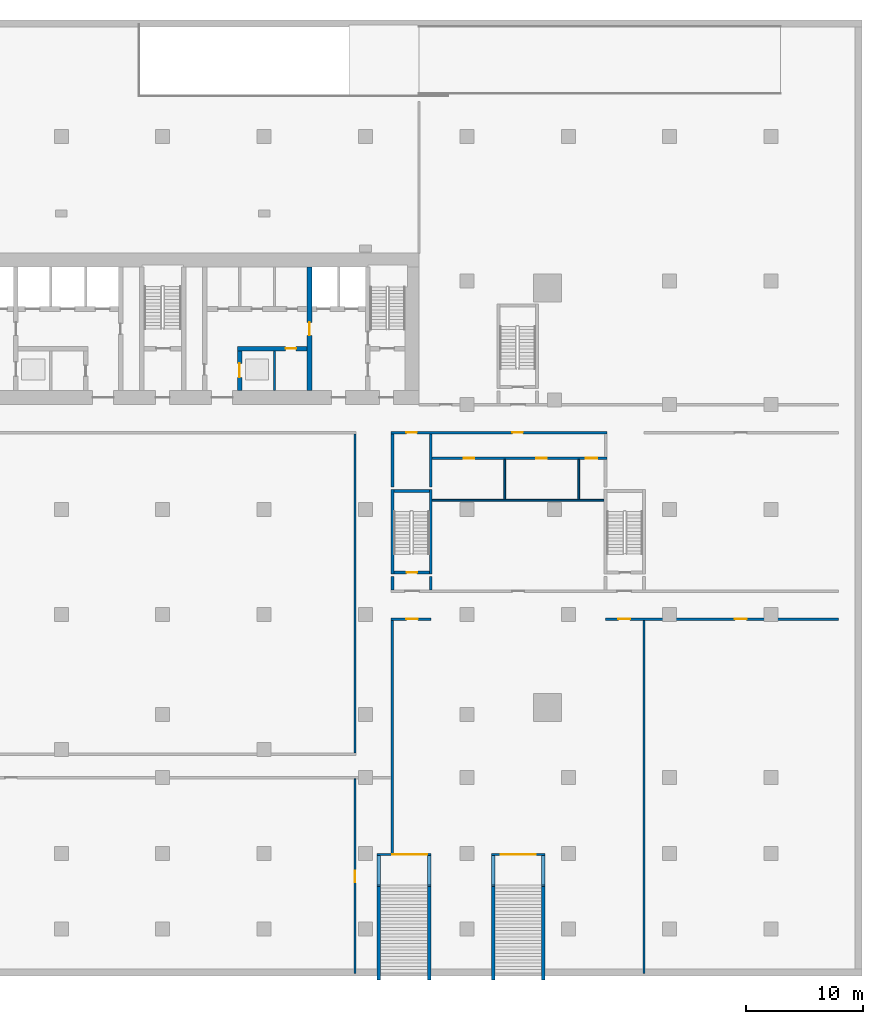
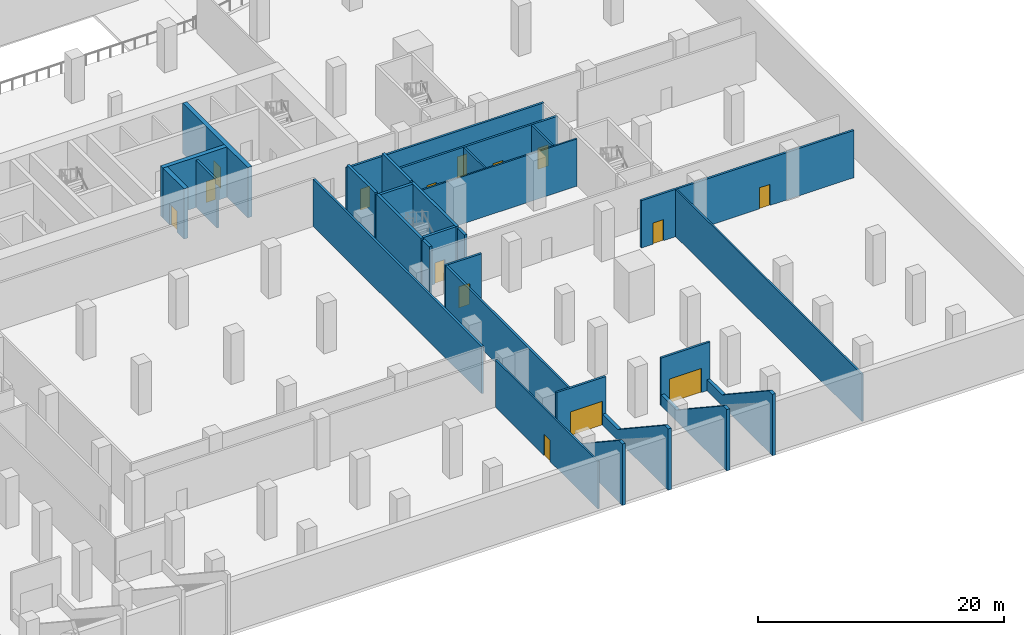
# One storey, part 8 of 16: 29 walls, 15 doors, 15 openings.
"""IFC4 building model written with IfcOpenShell, lengths in metres."""

from ifc_helpers import new_model, si_unit, direction, frame, frame_2d, origin, place, context, subcontext, project, spatial, polyline, rectangle, outline, extrude, material, layer, layer_set, layer_usage, type_object, element, fill, save


model = new_model("IFC4")

# Units and contexts
model_context = context("Model", 3, precision=1e-05, world=origin(), true_north=direction((0.0, 1.0)))
body_context = subcontext(model_context, "Body", "Model", "MODEL_VIEW")
ifc_project = project(units=[si_unit("LENGTHUNIT", "METRE"), si_unit("AREAUNIT", "SQUARE_METRE"), si_unit("VOLUMEUNIT", "CUBIC_METRE"), si_unit("PLANEANGLEUNIT", "RADIAN"), si_unit("MASSUNIT", "GRAM", prefix="KILO")], contexts=[model_context])

# Site, building, storey
site_placement = place(None, origin())
site = spatial("IfcSite", under=ifc_project, at=site_placement, CompositionType="ELEMENT")
building_placement = place(site_placement, origin())
building = spatial("IfcBuilding", under=site, at=building_placement, Name="Bicima Exchange Tower", CompositionType="ELEMENT")
storey_placement = place(building_placement, frame((0.0, 0.0, -5.0)))
storey = spatial("IfcBuildingStorey", under=building, at=storey_placement, Name="B1", CompositionType="ELEMENT", Elevation=-5.0)

# Wall
ifc_material_1 = material(Name="Gypsum board partition")
ifc_layer_1 = layer(ifc_material_1, 0.199951171875)
ifc_layer_set_1 = layer_set([ifc_layer_1], Name="Gypsum board partition")
wall_type_1 = type_object("IfcWallType", Name="Fire-rated gypsum partition 200 EI120", PredefinedType="PARTITIONING", material=ifc_layer_set_1)
wall_1_placement = place(storey_placement, frame((9.60009765625, -11.800048828125, 0.0), z_axis=(0.0, 0.0, 1.0), x_axis=(0.0, 1.0, 0.0)))
element("IfcWall", 1, at=wall_1_placement, inside=storey, type_object=wall_type_1, Name="partition wall 21", PredefinedType="PARTITIONING", context=body_context, shape_type="SweptSolid", body=[
    extrude(rectangle(XDim=3.400146484375, YDim=0.199951171875, at=frame_2d((1.7001953125, 0.0))), origin(), (0.0, 0.0, 1.0), 4.699951171875),
])

# Wall, opening, door
ifc_layer_2 = layer(ifc_material_1, 0.199951171875)
ifc_layer_set_2 = layer_set([ifc_layer_2], Name="Gypsum board partition")
wall_type_2 = type_object("IfcWallType", Name="Fire-rated gypsum partition 200 EI60", PredefinedType="PARTITIONING", material=ifc_layer_set_2)
wall_2_placement = place(storey_placement, frame((19.60009765625, -31.39990234375, 0.0), z_axis=(0.0, 0.0, 1.0), x_axis=(1.0, 0.0, 0.0)))
wall_2 = element("IfcWall", 2, at=wall_2_placement, inside=storey, type_object=wall_type_2, Name="partition wall 4", PredefinedType="PARTITIONING", context=body_context, shape_type="SweptSolid", body=[
    extrude(rectangle(XDim=3.39990234375, YDim=0.199951171875, at=frame_2d((1.699951171875, 0.0))), origin(), (0.0, 0.0, 1.0), 4.699951171875),
])
opening_1_placement = place(wall_2_placement, frame((1.300048828125, 0.0, 0.0)))
opening_1 = element("IfcOpeningElement", 3, at=opening_1_placement, cuts=wall_2, Name="Opening B1-028", PredefinedType="OPENING", context=body_context, shape_type="SweptSolid", body=[
    extrude(rectangle(XDim=1.0, YDim=2.10009765625, at=frame_2d((0.5, 1.050048828125))), frame((0.0, 0.11181640625, 0.0), z_axis=(0.0, -1.0, 0.0), x_axis=(1.0, 0.0, 0.0)), (0.0, 0.0, 1.0), 0.223876953125),
])
ifc_material_2 = material(Name="Steel fire door leaf", Category="steel")
door_type_1 = type_object("IfcDoorType", Name="Door 1000 swing FD30S", OperationType="SINGLE_SWING_LEFT", PredefinedType="DOOR", material=ifc_material_2)
door_1_placement = place(opening_1_placement, frame((1.0, 0.0, 0.0), z_axis=(0.0, 0.0, 1.0), x_axis=(-1.0, 0.0, 0.0)))
door_1 = element("IfcDoor", 4, at=door_1_placement, inside=storey, type_object=door_type_1, Name="Door", OperationType="SINGLE_SWING_LEFT", OverallHeight=2.10009765625, OverallWidth=1.0, PredefinedType="DOOR", context=body_context, shape_type="SweptSolid", body=[
    extrude(rectangle(XDim=1.0, YDim=2.10009765625, at=frame_2d((0.5, 1.050048828125))), frame((0.0, 0.02490234375, 0.0), z_axis=(0.0, -1.0, 0.0), x_axis=(1.0, 0.0, 0.0)), (0.0, 0.0, 1.0), 0.050048828125),
])
fill(opening_1, door_1)

# Wall, openings, doors
wall_3_placement = place(storey_placement, frame((38.0, -31.39990234375, 0.0), z_axis=(0.0, 0.0, 1.0), x_axis=(1.0, 0.0, 0.0)))
wall_3 = element("IfcWall", 5, at=wall_3_placement, inside=storey, type_object=wall_type_2, Name="partition wall 5", PredefinedType="PARTITIONING", context=body_context, shape_type="SweptSolid", body=[
    extrude(rectangle(XDim=20.0, YDim=0.199951171875, at=frame_2d((10.0, 0.0))), origin(), (0.0, 0.0, 1.0), 4.699951171875),
])
opening_2_placement = place(wall_3_placement, frame((1.10009765625, 0.0, 0.0)))
opening_2 = element("IfcOpeningElement", 6, at=opening_2_placement, cuts=wall_3, Name="Opening B1-034", PredefinedType="OPENING", context=body_context, shape_type="SweptSolid", body=[
    extrude(rectangle(XDim=1.0, YDim=2.10009765625, at=frame_2d((0.5, 1.050048828125))), frame((0.0, 0.11181640625, 0.0), z_axis=(0.0, -1.0, 0.0), x_axis=(1.0, 0.0, 0.0)), (0.0, 0.0, 1.0), 0.223876953125),
])
opening_3_placement = place(wall_3_placement, frame((11.10009765625, 0.0, 0.0)))
opening_3 = element("IfcOpeningElement", 7, at=opening_3_placement, cuts=wall_3, Name="Opening B1-036", PredefinedType="OPENING", context=body_context, shape_type="SweptSolid", body=[
    extrude(rectangle(XDim=1.0, YDim=2.10009765625, at=frame_2d((0.5, 1.050048828125))), frame((0.0, 0.11181640625, 0.0), z_axis=(0.0, -1.0, 0.0), x_axis=(1.0, 0.0, 0.0)), (0.0, 0.0, 1.0), 0.223876953125),
])
door_2_placement = place(opening_2_placement, frame((1.0, 0.0, 0.0), z_axis=(0.0, 0.0, 1.0), x_axis=(-1.0, 0.0, 0.0)))
door_2 = element("IfcDoor", 8, at=door_2_placement, inside=storey, type_object=door_type_1, Name="Door", OperationType="SINGLE_SWING_LEFT", OverallHeight=2.10009765625, OverallWidth=1.0, PredefinedType="DOOR", context=body_context, shape_type="SweptSolid", body=[
    extrude(rectangle(XDim=1.0, YDim=2.10009765625, at=frame_2d((0.5, 1.050048828125))), frame((0.0, 0.02490234375, 0.0), z_axis=(0.0, -1.0, 0.0), x_axis=(1.0, 0.0, 0.0)), (0.0, 0.0, 1.0), 0.050048828125),
])
fill(opening_2, door_2)
door_3_placement = place(opening_3_placement, frame((1.0, 0.0, 0.0), z_axis=(0.0, 0.0, 1.0), x_axis=(-1.0, 0.0, 0.0)))
door_3 = element("IfcDoor", 9, at=door_3_placement, inside=storey, type_object=door_type_1, Name="Door", OperationType="SINGLE_SWING_RIGHT", OverallHeight=2.10009765625, OverallWidth=1.0, PredefinedType="DOOR", context=body_context, shape_type="SweptSolid", body=[
    extrude(rectangle(XDim=1.0, YDim=2.10009765625, at=frame_2d((0.5, 1.050048828125))), frame((0.0, 0.02490234375, 0.0), z_axis=(0.0, -1.0, 0.0), x_axis=(1.0, 0.0, 0.0)), (0.0, 0.0, 1.0), 0.050048828125),
])
fill(opening_3, door_3)

wall_4_placement = place(storey_placement, frame((23.125, -17.60009765625, 0.0), z_axis=(0.0, 0.0, 1.0), x_axis=(1.0, 0.0, 0.0)))
wall_4 = element("IfcWall", 10, at=wall_4_placement, inside=storey, type_object=wall_type_2, Name="partition wall 17", PredefinedType="PARTITIONING", context=body_context, shape_type="SweptSolid", body=[
    extrude(rectangle(XDim=15.0, YDim=0.199951171875, at=frame_2d((7.5, 0.0))), origin(), (0.0, 0.0, 1.0), 4.699951171875),
])
opening_4_placement = place(wall_4_placement, frame((2.699951171875, 0.0, 0.0)))
opening_4 = element("IfcOpeningElement", 11, at=opening_4_placement, cuts=wall_4, Name="Opening B1-030", PredefinedType="OPENING", context=body_context, shape_type="SweptSolid", body=[
    extrude(rectangle(XDim=0.89990234375, YDim=2.10009765625, at=frame_2d((0.449951171875, 1.050048828125))), frame((0.0, 0.11181640625, 0.0), z_axis=(0.0, -1.0, 0.0), x_axis=(1.0, 0.0, 0.0)), (0.0, 0.0, 1.0), 0.223876953125),
])
opening_5_placement = place(wall_4_placement, frame((8.925048828125, 0.0, 0.0)))
opening_5 = element("IfcOpeningElement", 12, at=opening_5_placement, cuts=wall_4, Name="Opening B1-031", PredefinedType="OPENING", context=body_context, shape_type="SweptSolid", body=[
    extrude(rectangle(XDim=0.89990234375, YDim=2.10009765625, at=frame_2d((0.449951171875, 1.050048828125))), frame((0.0, 0.11181640625, 0.0), z_axis=(0.0, -1.0, 0.0), x_axis=(1.0, 0.0, 0.0)), (0.0, 0.0, 1.0), 0.223876953125),
])
opening_6_placement = place(wall_4_placement, frame((13.175048828125, 0.0, 0.0)))
opening_6 = element("IfcOpeningElement", 13, at=opening_6_placement, cuts=wall_4, Name="Opening B1-032", PredefinedType="OPENING", context=body_context, shape_type="SweptSolid", body=[
    extrude(rectangle(XDim=1.0, YDim=2.10009765625, at=frame_2d((0.5, 1.050048828125))), frame((0.0, 0.11181640625, 0.0), z_axis=(0.0, -1.0, 0.0), x_axis=(1.0, 0.0, 0.0)), (0.0, 0.0, 1.0), 0.223876953125),
])
door_4_placement = place(opening_6_placement, frame((1.0, 0.0, 0.0), z_axis=(0.0, 0.0, 1.0), x_axis=(-1.0, 0.0, 0.0)))
door_4 = element("IfcDoor", 14, at=door_4_placement, inside=storey, type_object=door_type_1, Name="Door", OperationType="SINGLE_SWING_RIGHT", OverallHeight=2.10009765625, OverallWidth=1.0, PredefinedType="DOOR", context=body_context, shape_type="SweptSolid", body=[
    extrude(rectangle(XDim=1.0, YDim=2.10009765625, at=frame_2d((0.5, 1.050048828125))), frame((0.0, 0.02490234375, 0.0), z_axis=(0.0, -1.0, 0.0), x_axis=(1.0, 0.0, 0.0)), (0.0, 0.0, 1.0), 0.050048828125),
])
fill(opening_6, door_4)
door_type_2 = type_object("IfcDoorType", Name="Door 900 swing FD30S", OperationType="SINGLE_SWING_LEFT", PredefinedType="DOOR", material=ifc_material_2)
door_5_placement = place(opening_4_placement, frame((0.89990234375, 0.0, 0.0), z_axis=(0.0, 0.0, 1.0), x_axis=(-1.0, 0.0, 0.0)))
door_5 = element("IfcDoor", 15, at=door_5_placement, inside=storey, type_object=door_type_2, Name="Door", OperationType="SINGLE_SWING_RIGHT", OverallHeight=2.10009765625, OverallWidth=0.89990234375, PredefinedType="DOOR", context=body_context, shape_type="SweptSolid", body=[
    extrude(rectangle(XDim=0.89990234375, YDim=2.10009765625, at=frame_2d((0.449951171875, 1.050048828125))), frame((0.0, 0.02490234375, 0.0), z_axis=(0.0, -1.0, 0.0), x_axis=(1.0, 0.0, 0.0)), (0.0, 0.0, 1.0), 0.050048828125),
])
fill(opening_4, door_5)
door_6_placement = place(opening_5_placement, frame((0.89990234375, 0.0, 0.0), z_axis=(0.0, 0.0, 1.0), x_axis=(-1.0, 0.0, 0.0)))
door_6 = element("IfcDoor", 16, at=door_6_placement, inside=storey, type_object=door_type_2, Name="Door", OperationType="SINGLE_SWING_LEFT", OverallHeight=2.10009765625, OverallWidth=0.89990234375, PredefinedType="DOOR", context=body_context, shape_type="SweptSolid", body=[
    extrude(rectangle(XDim=0.89990234375, YDim=2.10009765625, at=frame_2d((0.449951171875, 1.050048828125))), frame((0.0, 0.02490234375, 0.0), z_axis=(0.0, -1.0, 0.0), x_axis=(1.0, 0.0, 0.0)), (0.0, 0.0, 1.0), 0.050048828125),
])
fill(opening_5, door_6)

wall_5_placement = place(storey_placement, frame((19.574951171875, -15.39990234375, 0.0), z_axis=(0.0, 0.0, 1.0), x_axis=(1.0, 0.0, 0.0)))
wall_5 = element("IfcWall", 17, at=wall_5_placement, inside=storey, type_object=wall_type_2, Name="partition wall 20", PredefinedType="PARTITIONING", context=body_context, shape_type="SweptSolid", body=[
    extrude(rectangle(XDim=18.525146484375, YDim=0.199951171875, at=frame_2d((9.2626953125, 0.0))), origin(), (0.0, 0.0, 1.0), 4.699951171875),
])
opening_7_placement = place(wall_5_placement, frame((1.324951171875, 0.0, 0.0)))
opening_7 = element("IfcOpeningElement", 18, at=opening_7_placement, cuts=wall_5, Name="Opening B1-027", PredefinedType="OPENING", context=body_context, shape_type="SweptSolid", body=[
    extrude(rectangle(XDim=0.89990234375, YDim=2.10009765625, at=frame_2d((0.449951171875, 1.050048828125))), frame((0.0, 0.11181640625, 0.0), z_axis=(0.0, -1.0, 0.0), x_axis=(1.0, 0.0, 0.0)), (0.0, 0.0, 1.0), 0.223876953125),
])
opening_8_placement = place(wall_5_placement, frame((10.425048828125, 0.0, 0.0)))
opening_8 = element("IfcOpeningElement", 19, at=opening_8_placement, cuts=wall_5, Name="Opening B1-029", PredefinedType="OPENING", context=body_context, shape_type="SweptSolid", body=[
    extrude(rectangle(XDim=0.89990234375, YDim=2.10009765625, at=frame_2d((0.449951171875, 1.050048828125))), frame((0.0, 0.11181640625, 0.0), z_axis=(0.0, -1.0, 0.0), x_axis=(1.0, 0.0, 0.0)), (0.0, 0.0, 1.0), 0.223876953125),
])
door_7_placement = place(opening_7_placement, frame((0.89990234375, 0.0, 0.0), z_axis=(0.0, 0.0, 1.0), x_axis=(-1.0, 0.0, 0.0)))
door_7 = element("IfcDoor", 20, at=door_7_placement, inside=storey, type_object=door_type_2, Name="Door", OperationType="SINGLE_SWING_RIGHT", OverallHeight=2.10009765625, OverallWidth=0.89990234375, PredefinedType="DOOR", context=body_context, shape_type="SweptSolid", body=[
    extrude(rectangle(XDim=0.89990234375, YDim=2.10009765625, at=frame_2d((0.449951171875, 1.050048828125))), frame((0.0, 0.02490234375, 0.0), z_axis=(0.0, -1.0, 0.0), x_axis=(1.0, 0.0, 0.0)), (0.0, 0.0, 1.0), 0.050048828125),
])
fill(opening_7, door_7)
door_8_placement = place(opening_8_placement, frame((0.89990234375, 0.0, 0.0), z_axis=(0.0, 0.0, 1.0), x_axis=(-1.0, 0.0, 0.0)))
door_8 = element("IfcDoor", 21, at=door_8_placement, inside=storey, type_object=door_type_2, Name="Door", OperationType="SINGLE_SWING_RIGHT", OverallHeight=2.10009765625, OverallWidth=0.89990234375, PredefinedType="DOOR", context=body_context, shape_type="SweptSolid", body=[
    extrude(rectangle(XDim=0.89990234375, YDim=2.10009765625, at=frame_2d((0.449951171875, 1.050048828125))), frame((0.0, 0.02490234375, 0.0), z_axis=(0.0, -1.0, 0.0), x_axis=(1.0, 0.0, 0.0)), (0.0, 0.0, 1.0), 0.050048828125),
])
fill(opening_8, door_8)

# Walls
wall_6_placement = place(storey_placement, frame((16.5, -42.89990234375, 0.0), z_axis=(0.0, 0.0, 1.0), x_axis=(0.0, 1.0, 0.0)))
element("IfcWall", 22, at=wall_6_placement, inside=storey, type_object=wall_type_2, Name="partition wall 43", PredefinedType="PARTITIONING", context=body_context, shape_type="SweptSolid", body=[
    extrude(rectangle(XDim=27.39990234375, YDim=0.199951171875, at=frame_2d((13.699951171875, 0.0))), origin(), (0.0, 0.0, 1.0), 4.699951171875),
])
wall_7_placement = place(storey_placement, frame((19.699951171875, -51.5, 0.0), z_axis=(0.0, 0.0, 1.0), x_axis=(0.0, 1.0, 0.0)))
element("IfcWall", 23, at=wall_7_placement, inside=storey, type_object=wall_type_2, Name="partition wall 44", PredefinedType="PARTITIONING", context=body_context, shape_type="SweptSolid", body=[
    extrude(rectangle(XDim=20.0, YDim=0.199951171875, at=frame_2d((10.0, 0.0))), origin(), (0.0, 0.0, 1.0), 4.699951171875),
])
ifc_layer_3 = layer(ifc_material_1, 0.14990234375)
ifc_layer_set_3 = layer_set([ifc_layer_3], Name="Gypsum board partition")
wall_type_3 = type_object("IfcWallType", Name="Gypsum partition 150", PredefinedType="PARTITIONING", material=ifc_layer_set_3)
wall_8_placement = place(storey_placement, frame((23.125, -21.199951171875, 0.0), z_axis=(0.0, 0.0, 1.0), x_axis=(1.0, 0.0, 0.0)))
element("IfcWall", 24, at=wall_8_placement, inside=storey, type_object=wall_type_3, Name="partition wall 12", PredefinedType="PARTITIONING", context=body_context, shape_type="SweptSolid", body=[
    extrude(rectangle(XDim=14.75, YDim=0.14990234375, at=frame_2d((7.375, 0.0))), origin(), (0.0, 0.0, 1.0), 4.699951171875),
])

# Wall, opening, door
wall_9_placement = place(storey_placement, frame((16.5, -61.7900390625, 0.0), z_axis=(0.0, 0.0, 1.0), x_axis=(0.0, 1.0, 0.0)))
wall_9 = element("IfcWall", 25, at=wall_9_placement, inside=storey, type_object=wall_type_3, Name="partition wall 42", PredefinedType="PARTITIONING", context=body_context, shape_type="SweptSolid", body=[
    extrude(rectangle(XDim=16.68994140625, YDim=0.14990234375, at=frame_2d((8.344970703125, 0.0))), origin(), (0.0, 0.0, 1.0), 4.699951171875),
])
opening_9_placement = place(wall_9_placement, frame((7.800048828125, 0.0, 0.0)))
opening_9 = element("IfcOpeningElement", 26, at=opening_9_placement, cuts=wall_9, Name="Opening B1-026", PredefinedType="OPENING", context=body_context, shape_type="SweptSolid", body=[
    extrude(rectangle(XDim=1.0, YDim=2.10009765625, at=frame_2d((0.5, 1.050048828125))), frame((0.0, 0.0869140625, 0.0), z_axis=(0.0, -1.0, 0.0), x_axis=(1.0, 0.0, 0.0)), (0.0, 0.0, 1.0), 0.173828125),
])
ifc_material_3 = material(Name="Timber door leaf", Category="wood")
door_type_3 = type_object("IfcDoorType", Name="Door 1000 swing", OperationType="SINGLE_SWING_LEFT", PredefinedType="DOOR", material=ifc_material_3)
door_9_placement = place(opening_9_placement, frame((1.0, 0.0, 0.0), z_axis=(0.0, 0.0, 1.0), x_axis=(-1.0, 0.0, 0.0)))
door_9 = element("IfcDoor", 27, at=door_9_placement, inside=storey, type_object=door_type_3, Name="Door", OperationType="SINGLE_SWING_RIGHT", OverallHeight=2.10009765625, OverallWidth=1.0, PredefinedType="DOOR", context=body_context, shape_type="SweptSolid", body=[
    extrude(rectangle(XDim=1.0, YDim=2.10009765625, at=frame_2d((0.5, 1.050048828125))), frame((0.0, 0.02490234375, 0.0), z_axis=(0.0, -1.0, 0.0), x_axis=(1.0, 0.0, 0.0)), (0.0, 0.0, 1.0), 0.050048828125),
])
fill(opening_9, door_9)

# Walls
for number, where, z_axis, x_axis, name in (
    (28, (29.35009765625, -21.125, 0.0), (0.0, 0.0, 1.0), (0.0, 1.0, 0.0), "partition wall 49"),
    (29, (35.699951171875, -21.125, 0.0), (0.0, 0.0, 1.0), (0.0, 1.0, 0.0), "partition wall 51"),
):
    element("IfcWall", number, at=place(storey_placement, frame(where, z_axis=z_axis, x_axis=x_axis)), inside=storey, type_object=wall_type_3, Name=name, PredefinedType="PARTITIONING", context=body_context, shape_type="SweptSolid", body=[
        extrude(rectangle(XDim=3.425048828125, YDim=0.14990234375, at=frame_2d((1.71240234375, 0.0))), origin(), (0.0, 0.0, 1.0), 4.699951171875),
    ])
wall_10_placement = place(storey_placement, frame((41.300048828125, -61.7900390625, 0.0), z_axis=(0.0, 0.0, 1.0), x_axis=(0.0, 1.0, 0.0)))
element("IfcWall", 30, at=wall_10_placement, inside=storey, type_object=wall_type_3, Name="partition wall 54", PredefinedType="PARTITIONING", context=body_context, shape_type="SweptSolid", body=[
    extrude(rectangle(XDim=30.2900390625, YDim=0.14990234375, at=frame_2d((15.14501953125, 0.0))), origin(), (0.0, 0.0, 1.0), 4.699951171875),
])
ifc_material_4 = material(Name="Concrete C50/60", Category="concrete")
ifc_layer_4 = layer(ifc_material_4, 0.25)
ifc_layer_set_4 = layer_set([ifc_layer_4], Name="Concrete C50/60")
wall_type_4 = type_object("IfcWallType", Name="RC core wall 250 C50/60", PredefinedType="SHEAR", material=ifc_layer_set_4)
wall_11_placement = place(storey_placement, frame((19.699951171875, -28.89990234375, 0.0), z_axis=(0.0, 0.0, 1.0), x_axis=(0.0, 1.0, 0.0)))
element("IfcWall", 31, at=wall_11_placement, inside=storey, type_object=wall_type_4, Name="stair wall 45", PredefinedType="SHEAR", context=body_context, shape_type="SweptSolid", body=[
    extrude(rectangle(XDim=1.14990234375, YDim=0.25, at=frame_2d((0.574951171875, 0.0))), origin(), (0.0, 0.0, 1.0), 5.0),
])
wall_12_placement = place(storey_placement, frame((19.699951171875, -20.050048828125, 0.0), z_axis=(0.0, 0.0, 1.0), x_axis=(0.0, 1.0, 0.0)))
element("IfcWall", 32, at=wall_12_placement, inside=storey, type_object=wall_type_4, Name="stair wall 45", PredefinedType="SHEAR", context=body_context, shape_type="SweptSolid", body=[
    extrude(rectangle(XDim=4.550048828125, YDim=0.25, at=frame_2d((2.27490234375, 0.0))), origin(), (0.0, 0.0, 1.0), 5.0),
])
wall_13_placement = place(storey_placement, frame((23.0, -28.89990234375, 0.0), z_axis=(0.0, 0.0, 1.0), x_axis=(0.0, 1.0, 0.0)))
element("IfcWall", 33, at=wall_13_placement, inside=storey, type_object=wall_type_4, Name="stair wall 47", PredefinedType="SHEAR", context=body_context, shape_type="SweptSolid", body=[
    extrude(rectangle(XDim=1.14990234375, YDim=0.25, at=frame_2d((0.574951171875, 0.0))), origin(), (0.0, 0.0, 1.0), 5.0),
])
wall_14_placement = place(storey_placement, frame((23.0, -20.050048828125, 0.0), z_axis=(0.0, 0.0, 1.0), x_axis=(0.0, 1.0, 0.0)))
element("IfcWall", 34, at=wall_14_placement, inside=storey, type_object=wall_type_4, Name="stair wall 47", PredefinedType="SHEAR", context=body_context, shape_type="SweptSolid", body=[
    extrude(rectangle(XDim=4.550048828125, YDim=0.25, at=frame_2d((2.27490234375, 0.0))), origin(), (0.0, 0.0, 1.0), 5.0),
])

# Wall, opening, door
ifc_material_5 = material(Name="Concrete C60/75", Category="concrete")
ifc_layer_5 = layer(ifc_material_5, 0.39990234375)
ifc_layer_set_5 = layer_set([ifc_layer_5], Name="Concrete C60/75")
wall_type_5 = type_object("IfcWallType", Name="RC core wall 400 C60/75", PredefinedType="SHEAR", material=ifc_layer_set_5)
wall_15_placement = place(storey_placement, frame((6.39990234375, -8.199951171875, 0.0), z_axis=(0.0, 0.0, 1.0), x_axis=(1.0, 0.0, 0.0)))
wall_15 = element("IfcWall", 35, at=wall_15_placement, inside=storey, type_object=wall_type_5, Name="shear wall 4", PredefinedType="SHEAR", context=body_context, shape_type="SweptSolid", body=[
    extrude(rectangle(XDim=6.0, YDim=0.39990234375, at=frame_2d((3.0, 0.0))), origin(), (0.0, 0.0, 1.0), 5.0),
])
opening_10_placement = place(wall_15_placement, frame((4.14990234375, 0.0, 0.0)))
opening_10 = element("IfcOpeningElement", 36, at=opening_10_placement, cuts=wall_15, Name="Opening B1-C16", PredefinedType="OPENING", context=body_context, shape_type="SweptSolid", body=[
    extrude(rectangle(XDim=0.89990234375, YDim=2.10009765625, at=frame_2d((0.449951171875, 1.050048828125))), frame((0.0, 0.2119140625, 0.0), z_axis=(0.0, -1.0, 0.0), x_axis=(1.0, 0.0, 0.0)), (0.0, 0.0, 1.0), 0.423828125),
])
door_10_placement = place(opening_10_placement, frame((0.89990234375, 0.0, 0.0), z_axis=(0.0, 0.0, 1.0), x_axis=(-1.0, 0.0, 0.0)))
door_10 = element("IfcDoor", 37, at=door_10_placement, inside=storey, type_object=door_type_2, Name="Core door", OperationType="SINGLE_SWING_LEFT", OverallHeight=2.10009765625, OverallWidth=0.89990234375, PredefinedType="DOOR", context=body_context, shape_type="SweptSolid", body=[
    extrude(rectangle(XDim=0.89990234375, YDim=2.10009765625, at=frame_2d((0.449951171875, 1.050048828125))), frame((0.0, 0.02490234375, 0.0), z_axis=(0.0, -1.0, 0.0), x_axis=(1.0, 0.0, 0.0)), (0.0, 0.0, 1.0), 0.050048828125),
])
fill(opening_10, door_10)

wall_16_placement = place(storey_placement, frame((6.60009765625, -11.800048828125, 0.0), z_axis=(0.0, 0.0, 1.0), x_axis=(0.0, 1.0, 0.0)))
wall_16 = element("IfcWall", 38, at=wall_16_placement, inside=storey, type_object=wall_type_5, Name="shear wall 19", PredefinedType="SHEAR", context=body_context, shape_type="SweptSolid", body=[
    extrude(rectangle(XDim=3.400146484375, YDim=0.39990234375, at=frame_2d((1.7001953125, 0.0))), origin(), (0.0, 0.0, 1.0), 5.0),
])
opening_11_placement = place(wall_16_placement, frame((1.14990234375, 0.0, 0.0)))
opening_11 = element("IfcOpeningElement", 39, at=opening_11_placement, cuts=wall_16, Name="Opening LD-SH2-B1", PredefinedType="OPENING", context=body_context, shape_type="SweptSolid", body=[
    extrude(rectangle(XDim=1.199951171875, YDim=2.10009765625, at=frame_2d((0.60009765625, 1.050048828125))), frame((0.0, 0.2119140625, 0.0), z_axis=(0.0, -1.0, 0.0), x_axis=(1.0, 0.0, 0.0)), (0.0, 0.0, 1.0), 0.423828125),
])
ifc_material_6 = material(Name="Stainless steel", Category="steel")
door_type_4 = type_object("IfcDoorType", Name="Lift landing door 1200 sliding", OperationType="DOUBLE_DOOR_SLIDING", PredefinedType="DOOR", material=ifc_material_6)
door_11_placement = place(opening_11_placement, origin())
door_11 = element("IfcDoor", 40, at=door_11_placement, inside=storey, type_object=door_type_4, Name="Lift landing door SH2", OperationType="DOUBLE_DOOR_SLIDING", OverallHeight=2.10009765625, OverallWidth=1.199951171875, PredefinedType="DOOR", context=body_context, shape_type="SweptSolid", body=[
    extrude(rectangle(XDim=1.199951171875, YDim=2.10009765625, at=frame_2d((0.60009765625, 1.050048828125))), frame((0.0, 0.02490234375, 0.0), z_axis=(0.0, -1.0, 0.0), x_axis=(1.0, 0.0, 0.0)), (0.0, 0.0, 1.0), 0.050048828125),
])
fill(opening_11, door_11)

wall_17_placement = place(storey_placement, frame((12.60009765625, -11.800048828125, 0.0), z_axis=(0.0, 0.0, 1.0), x_axis=(0.0, 1.0, 0.0)))
wall_17 = element("IfcWall", 41, at=wall_17_placement, inside=storey, type_object=wall_type_5, Name="shear wall 23", PredefinedType="SHEAR", context=body_context, shape_type="SweptSolid", body=[
    extrude(rectangle(XDim=10.60009765625, YDim=0.39990234375, at=frame_2d((5.300048828125, 0.0))), origin(), (0.0, 0.0, 1.0), 5.0),
])
opening_12_placement = place(wall_17_placement, frame((4.75, 0.0, 0.0)))
opening_12 = element("IfcOpeningElement", 42, at=opening_12_placement, cuts=wall_17, Name="Opening B1-C09", PredefinedType="OPENING", context=body_context, shape_type="SweptSolid", body=[
    extrude(rectangle(XDim=1.10009765625, YDim=2.10009765625, at=frame_2d((0.550048828125, 1.050048828125))), frame((0.0, 0.2119140625, 0.0), z_axis=(0.0, -1.0, 0.0), x_axis=(1.0, 0.0, 0.0)), (0.0, 0.0, 1.0), 0.423828125),
])
door_type_5 = type_object("IfcDoorType", Name="Door 1100 swing FD60S", OperationType="SINGLE_SWING_LEFT", PredefinedType="DOOR", material=ifc_material_2)
door_12_placement = place(opening_12_placement, frame((1.10009765625, 0.0, 0.0), z_axis=(0.0, 0.0, 1.0), x_axis=(-1.0, 0.0, 0.0)))
door_12 = element("IfcDoor", 43, at=door_12_placement, inside=storey, type_object=door_type_5, Name="Core door", OperationType="SINGLE_SWING_RIGHT", OverallHeight=2.10009765625, OverallWidth=1.10009765625, PredefinedType="DOOR", context=body_context, shape_type="SweptSolid", body=[
    extrude(rectangle(XDim=1.10009765625, YDim=2.10009765625, at=frame_2d((0.550048828125, 1.050048828125))), frame((0.0, 0.02490234375, 0.0), z_axis=(0.0, -1.0, 0.0), x_axis=(1.0, 0.0, 0.0)), (0.0, 0.0, 1.0), 0.050048828125),
])
fill(opening_12, door_12)

# Walls
ifc_layer_6 = layer(ifc_material_4, 0.25)
ifc_layer_set_6 = layer_set([ifc_layer_6], Name="Concrete C50/60")
wall_type_6 = type_object("IfcWallType", Name="RC stair enclosure wall 250 C50/60", PredefinedType="SHEAR", material=ifc_layer_set_6)
for number, where, z_axis, x_axis, name in (
    (44, (19.699951171875, -27.52490234375, 0.0), (0.0, 0.0, 1.0), (0.0, 1.0, 0.0), "Podium inner east stair wall W"),
    (45, (23.0, -27.52490234375, 0.0), (0.0, 0.0, 1.0), (0.0, 1.0, 0.0), "Podium inner east stair wall E"),
):
    element("IfcWall", number, at=place(storey_placement, frame(where, z_axis=z_axis, x_axis=x_axis)), inside=storey, type_object=wall_type_6, Name=name, PredefinedType="SHEAR", context=body_context, shape_type="SweptSolid", body=[
        extrude(rectangle(XDim=7.25, YDim=0.25, at=frame_2d((3.625, 0.0))), origin(), (0.0, 0.0, 1.0), 5.0),
    ])

# Wall, opening, door
wall_18_placement = place(storey_placement, frame((19.824951171875, -27.39990234375, 0.0), z_axis=(0.0, 0.0, 1.0), x_axis=(1.0, 0.0, 0.0)))
wall_18 = element("IfcWall", 46, at=wall_18_placement, inside=storey, type_object=wall_type_6, Name="Podium inner east stair wall S", PredefinedType="SHEAR", context=body_context, shape_type="SweptSolid", body=[
    extrude(rectangle(XDim=3.050048828125, YDim=0.25, at=frame_2d((1.52490234375, 0.0))), origin(), (0.0, 0.0, 1.0), 5.0),
])
opening_13_placement = place(wall_18_placement, frame((1.10009765625, 0.0, 0.0)))
opening_13 = element("IfcOpeningElement", 47, at=opening_13_placement, cuts=wall_18, Name="Opening B1-006", PredefinedType="OPENING", context=body_context, shape_type="SweptSolid", body=[
    extrude(rectangle(XDim=0.89990234375, YDim=2.10009765625, at=frame_2d((0.449951171875, 1.050048828125))), frame((0.0, 0.136962890625, 0.0), z_axis=(0.0, -1.0, 0.0), x_axis=(1.0, 0.0, 0.0)), (0.0, 0.0, 1.0), 0.27392578125),
])
door_type_6 = type_object("IfcDoorType", Name="Door 900 swing FD60S", OperationType="SINGLE_SWING_LEFT", PredefinedType="DOOR", material=ifc_material_2)
door_13_placement = place(opening_13_placement, origin())
door_13 = element("IfcDoor", 48, at=door_13_placement, inside=storey, type_object=door_type_6, Name="Door", OperationType="SINGLE_SWING_RIGHT", OverallHeight=2.10009765625, OverallWidth=0.89990234375, PredefinedType="DOOR", context=body_context, shape_type="SweptSolid", body=[
    extrude(rectangle(XDim=0.89990234375, YDim=2.10009765625, at=frame_2d((0.449951171875, 1.050048828125))), frame((0.0, 0.02490234375, 0.0), z_axis=(0.0, -1.0, 0.0), x_axis=(1.0, 0.0, 0.0)), (0.0, 0.0, 1.0), 0.050048828125),
])
fill(opening_13, door_13)

# Wall
wall_19_placement = place(storey_placement, frame((19.824951171875, -20.39990234375, 0.0), z_axis=(0.0, 0.0, 1.0), x_axis=(1.0, 0.0, 0.0)))
element("IfcWall", 49, at=wall_19_placement, inside=storey, type_object=wall_type_6, Name="Podium inner east stair wall N", PredefinedType="SHEAR", context=body_context, shape_type="SweptSolid", body=[
    extrude(rectangle(XDim=3.050048828125, YDim=0.25, at=frame_2d((1.52490234375, 0.0))), origin(), (0.0, 0.0, 1.0), 5.0),
])

# Wall, opening, door
ifc_material_7 = material(Name="Concrete C40/50", Category="concrete")
ifc_layer_7 = layer(ifc_material_7, 0.2)
ifc_layer_set_7 = layer_set([ifc_layer_7], Name="Concrete C40/50")
ifc_layer_usage_1 = layer_usage(ifc_layer_set_7, "AXIS2", "POSITIVE", -0.1)
wall_type_7 = type_object("IfcWallType", Name="Station entrance screen wall 200", PredefinedType="STANDARD", material=ifc_layer_set_7)
wall_20_placement = place(storey_placement, frame((23.0, -51.60009765625, 0.0), z_axis=(0.0, 0.0, 1.0), x_axis=(-1.0, 0.0, 0.0)))
wall_20 = element("IfcWall", 50, at=wall_20_placement, inside=storey, type_object=wall_type_7, material=ifc_layer_usage_1, Name="Station entrance screen wall 3", PredefinedType="STANDARD", context=body_context, shape_type="SweptSolid", body=[
    extrude(rectangle(XDim=4.60009765625, YDim=0.199951171875, at=frame_2d((2.300048828125, 0.0))), origin(), (0.0, 0.0, 1.0), 4.75),
])
opening_14_placement = place(wall_20_placement, frame((0.300048828125, 0.0, 0.0)))
opening_14 = element("IfcOpeningElement", 51, at=opening_14_placement, cuts=wall_20, Name="Opening SD1", PredefinedType="OPENING", context=body_context, shape_type="SweptSolid", body=[
    extrude(rectangle(XDim=3.0, YDim=2.39990234375, at=frame_2d((1.5, 1.199951171875))), frame((0.0, 0.11181640625, 0.0), z_axis=(0.0, -1.0, 0.0), x_axis=(1.0, 0.0, 0.0)), (0.0, 0.0, 1.0), 0.223876953125),
])
ifc_material_8 = material(Name="Anodised bronze aluminium and bonded safety glass", Category="aluminium")
door_type_7 = type_object("IfcDoorType", Name="Station entrance door, double leaf 3000 x 2400", OperationType="DOUBLE_DOOR_DOUBLE_SWING", PredefinedType="DOOR", material=ifc_material_8)
door_14_placement = place(opening_14_placement, origin())
door_14 = element("IfcDoor", 52, at=door_14_placement, inside=storey, type_object=door_type_7, Name="Station entrance door 3", OperationType="SINGLE_SWING_LEFT", OverallHeight=2.39990234375, OverallWidth=3.0, PredefinedType="DOOR", context=body_context, shape_type="SweptSolid", body=[
    extrude(rectangle(XDim=3.0, YDim=2.39990234375, at=frame_2d((1.5, 1.199951171875))), frame((0.0, 0.02490234375, 0.0), z_axis=(0.0, -1.0, 0.0), x_axis=(1.0, 0.0, 0.0)), (0.0, 0.0, 1.0), 0.050048828125),
])
fill(opening_14, door_14)

wall_21_placement = place(storey_placement, frame((32.800048828125, -51.60009765625, 0.0), z_axis=(0.0, 0.0, 1.0), x_axis=(-1.0, 0.0, 0.0)))
wall_21 = element("IfcWall", 53, at=wall_21_placement, inside=storey, type_object=wall_type_7, material=ifc_layer_usage_1, Name="Station entrance screen wall 4", PredefinedType="STANDARD", context=body_context, shape_type="SweptSolid", body=[
    extrude(rectangle(XDim=4.60009765625, YDim=0.199951171875, at=frame_2d((2.300048828125, 0.0))), origin(), (0.0, 0.0, 1.0), 4.75),
])
opening_15_placement = place(wall_21_placement, frame((0.800048828125, 0.0, 0.0)))
opening_15 = element("IfcOpeningElement", 54, at=opening_15_placement, cuts=wall_21, Name="Opening SD1", PredefinedType="OPENING", context=body_context, shape_type="SweptSolid", body=[
    extrude(rectangle(XDim=3.0, YDim=2.39990234375, at=frame_2d((1.5, 1.199951171875))), frame((0.0, 0.11181640625, 0.0), z_axis=(0.0, -1.0, 0.0), x_axis=(1.0, 0.0, 0.0)), (0.0, 0.0, 1.0), 0.223876953125),
])
door_15_placement = place(opening_15_placement, origin())
door_15 = element("IfcDoor", 55, at=door_15_placement, inside=storey, type_object=door_type_7, Name="Station entrance door 4", OperationType="SINGLE_SWING_LEFT", OverallHeight=2.39990234375, OverallWidth=3.0, PredefinedType="DOOR", context=body_context, shape_type="SweptSolid", body=[
    extrude(rectangle(XDim=3.0, YDim=2.39990234375, at=frame_2d((1.5, 1.199951171875))), frame((0.0, 0.02490234375, 0.0), z_axis=(0.0, -1.0, 0.0), x_axis=(1.0, 0.0, 0.0)), (0.0, 0.0, 1.0), 0.050048828125),
])
fill(opening_15, door_15)

# Walls
ifc_layer_8 = layer(ifc_material_7, 0.3)
ifc_layer_set_8 = layer_set([ifc_layer_8], Name="Concrete C40/50")
ifc_layer_usage_2 = layer_usage(ifc_layer_set_8, "AXIS2", "POSITIVE", -0.15)
wall_type_8 = type_object("IfcWallType", Name="Station well wall 300", PredefinedType="STANDARD", material=ifc_layer_set_8)
for number, where, z_axis, x_axis, name in (
    (56, (18.550048828125, -51.60009765625, 0.0), (0.0, 0.0, 1.0), (0.0, -1.0, 0.0), "Station well wall 3W"),
    (57, (22.85009765625, -51.60009765625, 0.0), (0.0, 0.0, 1.0), (0.0, -1.0, 0.0), "Station well wall 3E"),
    (58, (28.35009765625, -51.60009765625, 0.0), (0.0, 0.0, 1.0), (0.0, -1.0, 0.0), "Station well wall 4W"),
    (59, (32.64990234375, -51.60009765625, 0.0), (0.0, 0.0, 1.0), (0.0, -1.0, 0.0), "Station well wall 4E"),
):
    element("IfcWall", number, at=place(storey_placement, frame(where, z_axis=z_axis, x_axis=x_axis)), inside=storey, type_object=wall_type_8, material=ifc_layer_usage_2, Name=name, PredefinedType="STANDARD", context=body_context, shape_type="SweptSolid", body=[
        extrude(outline(polyline([(0.0, 0.0), (10.760009765625, 0.0), (10.760009765625, 6.10009765625), (10.159912109375, 6.10009765625), (2.60009765625, 1.10009765625), (0.0, 1.10009765625), (0.0, 0.0)])), frame((0.0, 0.14990234375, 0.0), z_axis=(0.0, -1.0, 0.0), x_axis=(1.0, 0.0, 0.0)), (0.0, 0.0, 1.0), 0.300048828125),
    ])

save(model, "model.ifc")
